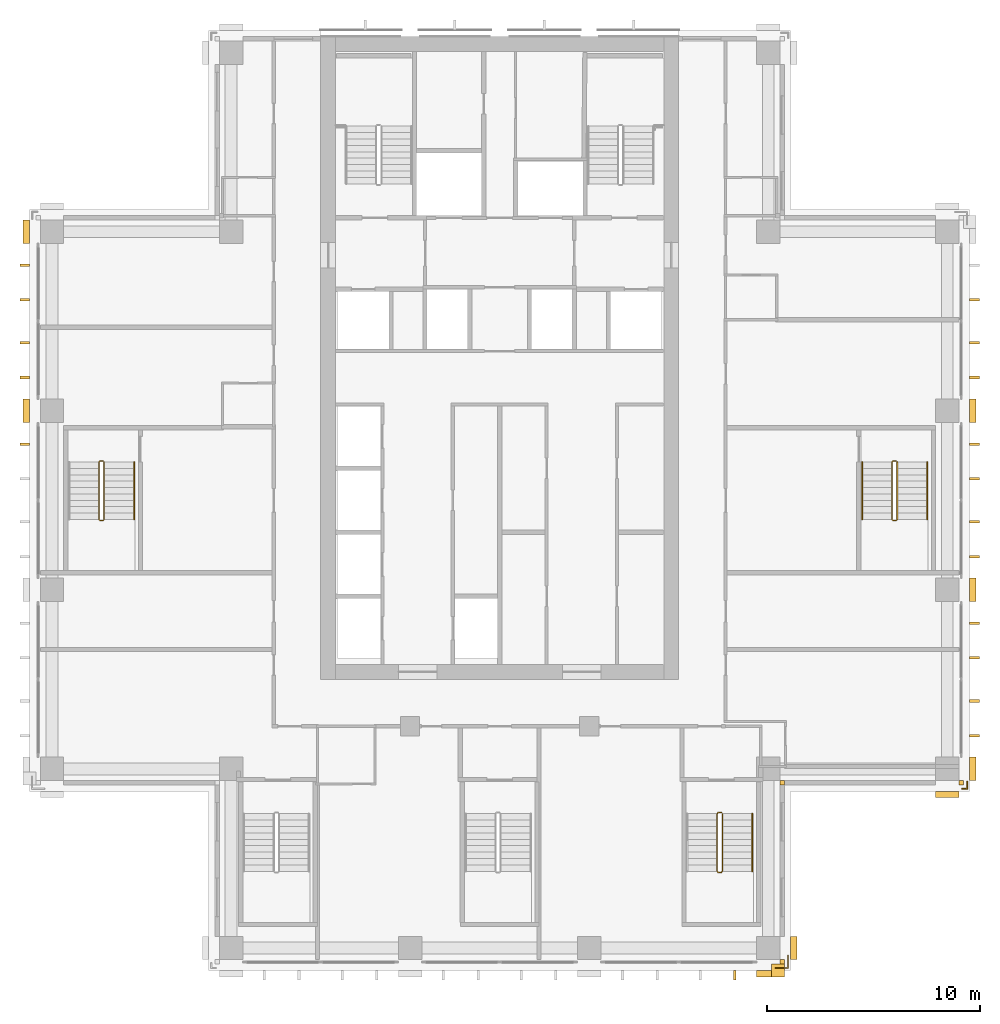
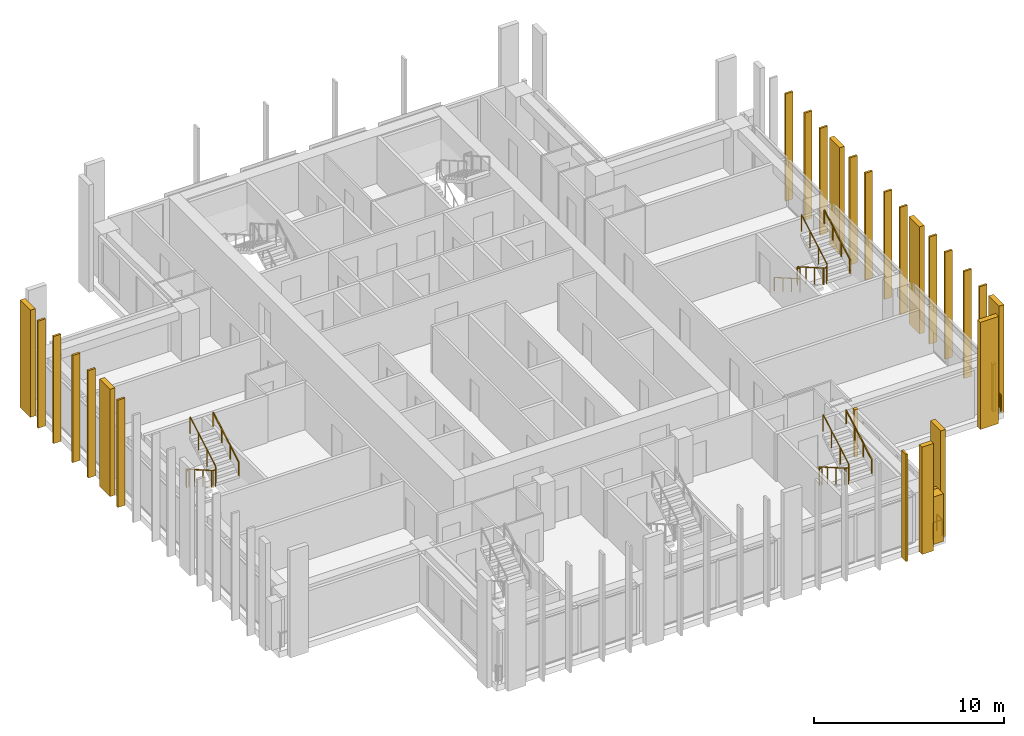
# One storey, part 15 of 16: 29 coverings, 9 railings.
"""IFC4 building model written with IfcOpenShell, lengths in metres."""

from ifc_helpers import new_model, si_unit, direction, frame, origin, origin_2d, place, context, subcontext, project, spatial, polyline, rectangle, outline, extrude, material, layer, layer_set, type_object, element, save


model = new_model("IFC4")

# Units and contexts
model_context = context("Model", 3, precision=1e-05, world=origin(), true_north=direction((0.0, 1.0)))
body_context = subcontext(model_context, "Body", "Model", "MODEL_VIEW")
ifc_project = project(units=[si_unit("LENGTHUNIT", "METRE"), si_unit("AREAUNIT", "SQUARE_METRE"), si_unit("VOLUMEUNIT", "CUBIC_METRE"), si_unit("PLANEANGLEUNIT", "RADIAN"), si_unit("MASSUNIT", "GRAM", prefix="KILO")], contexts=[model_context])

# Site, building, storey
site_placement = place(None, origin())
site = spatial("IfcSite", under=ifc_project, at=site_placement, CompositionType="ELEMENT")
building_placement = place(site_placement, origin())
building = spatial("IfcBuilding", under=site, at=building_placement, Name="Vermilion Ogive Tower", CompositionType="ELEMENT")
storey_placement = place(building_placement, frame((0.0, 0.0, 143.449951171875)))
storey = spatial("IfcBuildingStorey", under=building, at=storey_placement, Name="L36", CompositionType="ELEMENT", Elevation=143.449951171875)

# Coverings
ifc_material_1 = material(Name="Glazed ceramic screen")
ifc_layer = layer(ifc_material_1, 0.14990234375)
ifc_layer_set = layer_set([ifc_layer], Name="Ceramic solar screen fin")
covering_type_1 = type_object("IfcCoveringType", Name="Ceramic solar screen fin", PredefinedType="CLADDING", material=ifc_layer_set)
covering_1_placement = place(storey_placement, frame((0.0, 0.0, -0.39990234375)))
element("IfcCovering", 1, at=covering_1_placement, inside=storey, type_object=covering_type_1, Name="Solar screen blade S022", PredefinedType="CLADDING", context=body_context, shape_type="SweptSolid", body=[
    extrude(outline(polyline([(10.9775390625, -22.5), (11.097412109375, -22.5), (11.097412109375, -22.050048828125), (10.9775390625, -22.050048828125), (10.9775390625, -22.5)])), origin(), (0.0, 0.0, 1.0), 6.89990234375),
])
covering_2_placement = place(storey_placement, frame((0.0, 0.0, -0.39990234375)))
element("IfcCovering", 2, at=covering_2_placement, inside=storey, type_object=covering_type_1, Name="Solar screen blade E971", PredefinedType="CLADDING", context=body_context, shape_type="SweptSolid", body=[
    extrude(outline(polyline([(22.5, -11.097412109375), (22.5, -10.9775390625), (22.050048828125, -10.9775390625), (22.050048828125, -11.097412109375), (22.5, -11.097412109375)])), origin(), (0.0, 0.0, 1.0), 6.89990234375),
])
covering_3_placement = place(storey_placement, frame((0.0, 0.0, -0.39990234375)))
element("IfcCovering", 3, at=covering_3_placement, inside=storey, type_object=covering_type_1, Name="Solar screen blade E972", PredefinedType="CLADDING", context=body_context, shape_type="SweptSolid", body=[
    extrude(outline(polyline([(22.5, -9.472412109375), (22.5, -9.3525390625), (22.050048828125, -9.3525390625), (22.050048828125, -9.472412109375), (22.5, -9.472412109375)])), origin(), (0.0, 0.0, 1.0), 6.89990234375),
])
covering_4_placement = place(storey_placement, frame((0.0, 0.0, -0.39990234375)))
element("IfcCovering", 4, at=covering_4_placement, inside=storey, type_object=covering_type_1, Name="Solar screen blade E981", PredefinedType="CLADDING", context=body_context, shape_type="SweptSolid", body=[
    extrude(outline(polyline([(22.5, -7.447509765625), (22.5, -7.327392578125), (22.050048828125, -7.327392578125), (22.050048828125, -7.447509765625), (22.5, -7.447509765625)])), origin(), (0.0, 0.0, 1.0), 6.89990234375),
])
covering_5_placement = place(storey_placement, frame((0.0, 0.0, -0.39990234375)))
element("IfcCovering", 5, at=covering_5_placement, inside=storey, type_object=covering_type_1, Name="Solar screen blade E982", PredefinedType="CLADDING", context=body_context, shape_type="SweptSolid", body=[
    extrude(outline(polyline([(22.5, -5.822509765625), (22.5, -5.702392578125), (22.050048828125, -5.702392578125), (22.050048828125, -5.822509765625), (22.5, -5.822509765625)])), origin(), (0.0, 0.0, 1.0), 6.89990234375),
])
covering_6_placement = place(storey_placement, frame((0.0, 0.0, -0.39990234375)))
element("IfcCovering", 6, at=covering_6_placement, inside=storey, type_object=covering_type_1, Name="Solar screen blade E991", PredefinedType="CLADDING", context=body_context, shape_type="SweptSolid", body=[
    extrude(outline(polyline([(22.5, -2.697509765625), (22.5, -2.577392578125), (22.050048828125, -2.577392578125), (22.050048828125, -2.697509765625), (22.5, -2.697509765625)])), origin(), (0.0, 0.0, 1.0), 6.89990234375),
])
covering_7_placement = place(storey_placement, frame((0.0, 0.0, -0.39990234375)))
element("IfcCovering", 7, at=covering_7_placement, inside=storey, type_object=covering_type_1, Name="Solar screen blade E992", PredefinedType="CLADDING", context=body_context, shape_type="SweptSolid", body=[
    extrude(outline(polyline([(22.5, -1.072509765625), (22.5, -0.952392578125), (22.050048828125, -0.952392578125), (22.050048828125, -1.072509765625), (22.5, -1.072509765625)])), origin(), (0.0, 0.0, 1.0), 6.89990234375),
])
covering_8_placement = place(storey_placement, frame((0.0, 0.0, -0.39990234375)))
element("IfcCovering", 8, at=covering_8_placement, inside=storey, type_object=covering_type_1, Name="Solar screen blade E001", PredefinedType="CLADDING", context=body_context, shape_type="SweptSolid", body=[
    extrude(outline(polyline([(22.5, 0.952392578125), (22.5, 1.072509765625), (22.050048828125, 1.072509765625), (22.050048828125, 0.952392578125), (22.5, 0.952392578125)])), origin(), (0.0, 0.0, 1.0), 6.89990234375),
])
covering_9_placement = place(storey_placement, frame((0.0, 0.0, -0.39990234375)))
element("IfcCovering", 9, at=covering_9_placement, inside=storey, type_object=covering_type_1, Name="Solar screen blade E002", PredefinedType="CLADDING", context=body_context, shape_type="SweptSolid", body=[
    extrude(outline(polyline([(22.5, 2.577392578125), (22.5, 2.697509765625), (22.050048828125, 2.697509765625), (22.050048828125, 2.577392578125), (22.5, 2.577392578125)])), origin(), (0.0, 0.0, 1.0), 6.89990234375),
])
covering_10_placement = place(storey_placement, frame((0.0, 0.0, -0.39990234375)))
element("IfcCovering", 10, at=covering_10_placement, inside=storey, type_object=covering_type_1, Name="Solar screen blade E011", PredefinedType="CLADDING", context=body_context, shape_type="SweptSolid", body=[
    extrude(outline(polyline([(22.5, 5.702392578125), (22.5, 5.822509765625), (22.050048828125, 5.822509765625), (22.050048828125, 5.702392578125), (22.5, 5.702392578125)])), origin(), (0.0, 0.0, 1.0), 6.89990234375),
])
covering_11_placement = place(storey_placement, frame((0.0, 0.0, -0.39990234375)))
element("IfcCovering", 11, at=covering_11_placement, inside=storey, type_object=covering_type_1, Name="Solar screen blade E012", PredefinedType="CLADDING", context=body_context, shape_type="SweptSolid", body=[
    extrude(outline(polyline([(22.5, 7.327392578125), (22.5, 7.447509765625), (22.050048828125, 7.447509765625), (22.050048828125, 7.327392578125), (22.5, 7.327392578125)])), origin(), (0.0, 0.0, 1.0), 6.89990234375),
])
covering_12_placement = place(storey_placement, frame((0.0, 0.0, -0.39990234375)))
element("IfcCovering", 12, at=covering_12_placement, inside=storey, type_object=covering_type_1, Name="Solar screen blade E021", PredefinedType="CLADDING", context=body_context, shape_type="SweptSolid", body=[
    extrude(outline(polyline([(22.5, 9.3525390625), (22.5, 9.472412109375), (22.050048828125, 9.472412109375), (22.050048828125, 9.3525390625), (22.5, 9.3525390625)])), origin(), (0.0, 0.0, 1.0), 6.89990234375),
])
covering_13_placement = place(storey_placement, frame((0.0, 0.0, -0.39990234375)))
element("IfcCovering", 13, at=covering_13_placement, inside=storey, type_object=covering_type_1, Name="Solar screen blade W011", PredefinedType="CLADDING", context=body_context, shape_type="SweptSolid", body=[
    extrude(outline(polyline([(-22.5, 7.447509765625), (-22.5, 7.327392578125), (-22.050048828125, 7.327392578125), (-22.050048828125, 7.447509765625), (-22.5, 7.447509765625)])), origin(), (0.0, 0.0, 1.0), 6.89990234375),
])
covering_14_placement = place(storey_placement, frame((0.0, 0.0, -0.39990234375)))
element("IfcCovering", 14, at=covering_14_placement, inside=storey, type_object=covering_type_1, Name="Solar screen blade W012", PredefinedType="CLADDING", context=body_context, shape_type="SweptSolid", body=[
    extrude(outline(polyline([(-22.5, 5.822509765625), (-22.5, 5.702392578125), (-22.050048828125, 5.702392578125), (-22.050048828125, 5.822509765625), (-22.5, 5.822509765625)])), origin(), (0.0, 0.0, 1.0), 6.89990234375),
])
covering_15_placement = place(storey_placement, frame((0.0, 0.0, -0.39990234375)))
element("IfcCovering", 15, at=covering_15_placement, inside=storey, type_object=covering_type_1, Name="Solar screen blade W021", PredefinedType="CLADDING", context=body_context, shape_type="SweptSolid", body=[
    extrude(outline(polyline([(-22.5, 11.097412109375), (-22.5, 10.9775390625), (-22.050048828125, 10.9775390625), (-22.050048828125, 11.097412109375), (-22.5, 11.097412109375)])), origin(), (0.0, 0.0, 1.0), 6.89990234375),
])
covering_16_placement = place(storey_placement, frame((0.0, 0.0, -0.39990234375)))
element("IfcCovering", 16, at=covering_16_placement, inside=storey, type_object=covering_type_1, Name="Solar screen blade W022", PredefinedType="CLADDING", context=body_context, shape_type="SweptSolid", body=[
    extrude(outline(polyline([(-22.5, 9.472412109375), (-22.5, 9.3525390625), (-22.050048828125, 9.3525390625), (-22.050048828125, 9.472412109375), (-22.5, 9.472412109375)])), origin(), (0.0, 0.0, 1.0), 6.89990234375),
])
covering_17_placement = place(storey_placement, frame((0.0, 0.0, -0.39990234375)))
element("IfcCovering", 17, at=covering_17_placement, inside=storey, type_object=covering_type_1, Name="Solar screen blade W001", PredefinedType="CLADDING", context=body_context, shape_type="SweptSolid", body=[
    extrude(outline(polyline([(-22.5, 2.697509765625), (-22.5, 2.577392578125), (-22.050048828125, 2.577392578125), (-22.050048828125, 2.697509765625), (-22.5, 2.697509765625)])), origin(), (0.0, 0.0, 1.0), 6.89990234375),
])

# Railings
ifc_material_2 = material(Name="Stainless steel", Category="steel")
railing_type_1 = type_object("IfcRailingType", Name="Slab edge guard SG1", PredefinedType="GUARDRAIL", material=ifc_material_2)
railing_1_placement = place(storey_placement, frame((21.929931640625, -13.199951171875, 0.0)))
element("IfcRailing", 18, at=railing_1_placement, inside=storey, type_object=railing_type_1, Name="L36 slab corner guard", PredefinedType="GUARDRAIL", context=body_context, shape_type="SweptSolid", body=[
    extrude(rectangle(XDim=0.050048828125, YDim=0.050048828125, at=origin_2d()), frame((0.0, 0.0, 1.0751953125), z_axis=(0.0, -1.0, 0.0), x_axis=(1.0, 0.0, 0.0)), (0.0, 0.0, 1.0), 0.330078125),
    extrude(rectangle(XDim=0.050048828125, YDim=0.050048828125, at=origin_2d()), frame((0.0, -0.330078125, 1.0751953125), z_axis=(-1.0, 0.0, 0.0), x_axis=(0.0, -1.0, 0.0)), (0.0, 0.0, 1.0), 0.22998046875),
    extrude(rectangle(XDim=0.050048828125, YDim=0.050048828125, at=origin_2d()), origin(), (0.0, 0.0, 1.0), 1.050048828125),
    extrude(rectangle(XDim=0.050048828125, YDim=0.050048828125, at=origin_2d()), frame((0.0, -0.330078125, 0.0)), (0.0, 0.0, 1.0), 1.050048828125),
    extrude(rectangle(XDim=0.050048828125, YDim=0.050048828125, at=origin_2d()), frame((-0.22998046875, -0.330078125, 0.0)), (0.0, 0.0, 1.0), 1.050048828125),
])
railing_2_placement = place(storey_placement, frame((12.949951171875, -21.929931640625, 0.0)))
element("IfcRailing", 19, at=railing_2_placement, inside=storey, type_object=railing_type_1, Name="L36 slab corner guard", PredefinedType="GUARDRAIL", context=body_context, shape_type="SweptSolid", body=[
    extrude(rectangle(XDim=0.050048828125, YDim=0.050048828125, at=origin_2d()), frame((0.0, 0.0, 1.0751953125), z_axis=(1.0, 0.0, 0.0), x_axis=(0.0, 1.0, 0.0)), (0.0, 0.0, 1.0), 0.580078125),
    extrude(rectangle(XDim=0.050048828125, YDim=0.050048828125, at=origin_2d()), frame((0.580078125, 0.0, 1.0751953125), z_axis=(0.0, 1.0, 0.0), x_axis=(-1.0, 0.0, 0.0)), (0.0, 0.0, 1.0), 0.579833984375),
    extrude(rectangle(XDim=0.050048828125, YDim=0.050048828125, at=origin_2d()), origin(), (0.0, 0.0, 1.0), 1.050048828125),
    extrude(rectangle(XDim=0.050048828125, YDim=0.050048828125, at=origin_2d()), frame((0.580078125, 0.0, 0.0)), (0.0, 0.0, 1.0), 1.050048828125),
    extrude(rectangle(XDim=0.050048828125, YDim=0.050048828125, at=origin_2d()), frame((0.580078125, 0.579833984375, 0.0)), (0.0, 0.0, 1.0), 1.050048828125),
])
ifc_material_3 = material(Name="Steel S355 painted", Category="steel")
railing_type_2 = type_object("IfcRailingType", Name="Stair guard 1100", PredefinedType="GUARDRAIL", material=ifc_material_3)
railing_3_placement = place(storey_placement, frame((10.39990234375, -14.64990234375, 0.0)))
element("IfcRailing", 20, at=railing_3_placement, inside=storey, type_object=railing_type_2, Name="L36 ST5 stair guard 4", PredefinedType="GUARDRAIL", context=body_context, shape_type="SweptSolid", body=[
    extrude(rectangle(XDim=0.048095703125, YDim=0.048095703125, at=origin_2d()), frame((0.0, 0.0, 1.076171875), z_axis=(-1.0, 0.0, 0.0), x_axis=(0.0, -1.0, 0.0)), (0.0, 0.0, 1.0), 0.14990234375),
    extrude(rectangle(XDim=0.048095703125, YDim=0.048095703125, at=origin_2d()), frame((-0.14990234375, 0.0, 1.076171875), z_axis=(-0.268277960024, -0.268277960024, 0.925231793839), x_axis=(0.707106781187, -0.707106781187, 0.0)), (0.0, 0.0, 1.0), 0.1865234375),
    extrude(rectangle(XDim=0.048095703125, YDim=0.048095703125, at=origin_2d()), frame((-0.199951171875, -0.050048828125, 1.24853515625), z_axis=(0.0, -0.866903762492, 0.498475542607), x_axis=(1.0, 0.0, 0.0)), (0.0, 0.0, 1.0), 3.114501953125),
    extrude(rectangle(XDim=0.048095703125, YDim=0.048095703125, at=origin_2d()), frame((-0.199951171875, -2.75, 2.80126953125), z_axis=(0.707106781187, -0.707106781187, 0.0), x_axis=(0.707106781187, 0.707106781187, 0.0)), (0.0, 0.0, 1.0), 0.07080078125),
    extrude(rectangle(XDim=0.048095703125, YDim=0.048095703125, at=origin_2d()), frame((-0.14990234375, -2.800048828125, 2.80126953125), z_axis=(1.0, 0.0, 0.0), x_axis=(0.0, 1.0, 0.0)), (0.0, 0.0, 1.0), 0.14990234375),
    extrude(rectangle(XDim=0.048095703125, YDim=0.048095703125, at=origin_2d()), frame((0.0, -2.800048828125, 2.80126953125), z_axis=(0.268603158521, 0.268603158521, 0.925043072762), x_axis=(-0.707106781187, 0.707106781187, 0.0)), (0.0, 0.0, 1.0), 0.186279296875),
    extrude(rectangle(XDim=0.048095703125, YDim=0.048095703125, at=origin_2d()), frame((0.050048828125, -2.75, 2.9736328125), z_axis=(0.0, 0.866903762492, 0.498475542607), x_axis=(-1.0, 0.0, 0.0)), (0.0, 0.0, 1.0), 3.114501953125),
    extrude(rectangle(XDim=0.0419921875, YDim=0.0419921875, at=origin_2d()), origin(), (0.0, 0.0, 1.0), 1.052001953125),
    extrude(rectangle(XDim=0.0419921875, YDim=0.0419921875, at=origin_2d()), frame((-0.14990234375, 0.0, 0.0)), (0.0, 0.0, 1.0), 1.052001953125),
    extrude(rectangle(XDim=0.0419921875, YDim=0.0419921875, at=origin_2d()), frame((-0.199951171875, -0.050048828125, 0.172607421875)), (0.0, 0.0, 1.0), 1.052001953125),
    extrude(rectangle(XDim=0.0419921875, YDim=0.0419921875, at=origin_2d()), frame((-0.199951171875, -0.949951171875, 0.690185546875)), (0.0, 0.0, 1.0), 1.052001953125),
    extrude(rectangle(XDim=0.0419921875, YDim=0.0419921875, at=origin_2d()), frame((-0.199951171875, -1.85009765625, 1.20751953125)), (0.0, 0.0, 1.0), 1.052001953125),
    extrude(rectangle(XDim=0.0419921875, YDim=0.0419921875, at=origin_2d()), frame((-0.199951171875, -2.75, 1.72509765625)), (0.0, 0.0, 1.0), 1.052001953125),
    extrude(rectangle(XDim=0.0419921875, YDim=0.0419921875, at=origin_2d()), frame((-0.14990234375, -2.800048828125, 1.72509765625)), (0.0, 0.0, 1.0), 1.052001953125),
    extrude(rectangle(XDim=0.0419921875, YDim=0.0419921875, at=origin_2d()), frame((0.0, -2.800048828125, 1.72509765625)), (0.0, 0.0, 1.0), 1.052001953125),
    extrude(rectangle(XDim=0.0419921875, YDim=0.0419921875, at=origin_2d()), frame((0.050048828125, -2.75, 1.8974609375)), (0.0, 0.0, 1.0), 1.052001953125),
    extrude(rectangle(XDim=0.0419921875, YDim=0.0419921875, at=origin_2d()), frame((0.050048828125, -1.85009765625, 2.4150390625)), (0.0, 0.0, 1.0), 1.052001953125),
    extrude(rectangle(XDim=0.0419921875, YDim=0.0419921875, at=origin_2d()), frame((0.050048828125, -0.949951171875, 2.932373046875)), (0.0, 0.0, 1.0), 1.052001953125),
    extrude(rectangle(XDim=0.0419921875, YDim=0.0419921875, at=origin_2d()), frame((0.050048828125, -0.050048828125, 3.449951171875)), (0.0, 0.0, 1.0), 1.052001953125),
])
railing_4_placement = place(storey_placement, frame((18.60009765625, 1.85009765625, 0.0)))
element("IfcRailing", 21, at=railing_4_placement, inside=storey, type_object=railing_type_2, Name="L36 ST8 stair guard 4", PredefinedType="GUARDRAIL", context=body_context, shape_type="SweptSolid", body=[
    extrude(rectangle(XDim=0.048095703125, YDim=0.048095703125, at=origin_2d()), frame((0.0, 0.0, 1.076171875), z_axis=(-1.0, 0.0, 0.0), x_axis=(0.0, -1.0, 0.0)), (0.0, 0.0, 1.0), 0.150146484375),
    extrude(rectangle(XDim=0.048095703125, YDim=0.048095703125, at=origin_2d()), frame((-0.150146484375, 0.0, 1.076171875), z_axis=(-0.268277960024, -0.268277960024, 0.925231793839), x_axis=(0.707106781187, -0.707106781187, 0.0)), (0.0, 0.0, 1.0), 0.1865234375),
    extrude(rectangle(XDim=0.048095703125, YDim=0.048095703125, at=origin_2d()), frame((-0.2001953125, -0.050048828125, 1.24853515625), z_axis=(0.0, -0.866903762492, 0.498475542607), x_axis=(1.0, 0.0, 0.0)), (0.0, 0.0, 1.0), 3.114501953125),
    extrude(rectangle(XDim=0.048095703125, YDim=0.048095703125, at=origin_2d()), frame((-0.2001953125, -2.75, 2.80126953125), z_axis=(0.707106781187, -0.707106781187, 0.0), x_axis=(0.707106781187, 0.707106781187, 0.0)), (0.0, 0.0, 1.0), 0.07080078125),
    extrude(rectangle(XDim=0.048095703125, YDim=0.048095703125, at=origin_2d()), frame((-0.150146484375, -2.800048828125, 2.80126953125), z_axis=(1.0, 0.0, 0.0), x_axis=(0.0, 1.0, 0.0)), (0.0, 0.0, 1.0), 0.150146484375),
    extrude(rectangle(XDim=0.048095703125, YDim=0.048095703125, at=origin_2d()), frame((0.0, -2.800048828125, 2.80126953125), z_axis=(0.267386790225, 0.268697509785, 0.925368009307), x_axis=(-0.708833529934, 0.705375805398, 0.0)), (0.0, 0.0, 1.0), 0.186279296875),
    extrude(rectangle(XDim=0.048095703125, YDim=0.048095703125, at=origin_2d()), frame((0.0498046875, -2.75, 2.9736328125), z_axis=(0.0, 0.866903762492, 0.498475542607), x_axis=(-1.0, 0.0, 0.0)), (0.0, 0.0, 1.0), 3.114501953125),
    extrude(rectangle(XDim=0.0419921875, YDim=0.0419921875, at=origin_2d()), origin(), (0.0, 0.0, 1.0), 1.052001953125),
    extrude(rectangle(XDim=0.0419921875, YDim=0.0419921875, at=origin_2d()), frame((-0.150146484375, 0.0, 0.0)), (0.0, 0.0, 1.0), 1.052001953125),
    extrude(rectangle(XDim=0.0419921875, YDim=0.0419921875, at=origin_2d()), frame((-0.2001953125, -0.050048828125, 0.172607421875)), (0.0, 0.0, 1.0), 1.052001953125),
    extrude(rectangle(XDim=0.0419921875, YDim=0.0419921875, at=origin_2d()), frame((-0.2001953125, -0.949951171875, 0.690185546875)), (0.0, 0.0, 1.0), 1.052001953125),
    extrude(rectangle(XDim=0.0419921875, YDim=0.0419921875, at=origin_2d()), frame((-0.2001953125, -1.85009765625, 1.20751953125)), (0.0, 0.0, 1.0), 1.052001953125),
    extrude(rectangle(XDim=0.0419921875, YDim=0.0419921875, at=origin_2d()), frame((-0.2001953125, -2.75, 1.72509765625)), (0.0, 0.0, 1.0), 1.052001953125),
    extrude(rectangle(XDim=0.0419921875, YDim=0.0419921875, at=origin_2d()), frame((-0.150146484375, -2.800048828125, 1.72509765625)), (0.0, 0.0, 1.0), 1.052001953125),
    extrude(rectangle(XDim=0.0419921875, YDim=0.0419921875, at=origin_2d()), frame((0.0, -2.800048828125, 1.72509765625)), (0.0, 0.0, 1.0), 1.052001953125),
    extrude(rectangle(XDim=0.0419921875, YDim=0.0419921875, at=origin_2d()), frame((0.0498046875, -2.75, 1.8974609375)), (0.0, 0.0, 1.0), 1.052001953125),
    extrude(rectangle(XDim=0.0419921875, YDim=0.0419921875, at=origin_2d()), frame((0.0498046875, -1.85009765625, 2.4150390625)), (0.0, 0.0, 1.0), 1.052001953125),
    extrude(rectangle(XDim=0.0419921875, YDim=0.0419921875, at=origin_2d()), frame((0.0498046875, -0.949951171875, 2.932373046875)), (0.0, 0.0, 1.0), 1.052001953125),
    extrude(rectangle(XDim=0.0419921875, YDim=0.0419921875, at=origin_2d()), frame((0.0498046875, -0.050048828125, 3.449951171875)), (0.0, 0.0, 1.0), 1.052001953125),
])
railing_5_placement = place(storey_placement, frame((-18.60009765625, 1.85009765625, 0.0)))
element("IfcRailing", 22, at=railing_5_placement, inside=storey, type_object=railing_type_2, Name="L36 ST9 stair guard 4", PredefinedType="GUARDRAIL", context=body_context, shape_type="SweptSolid", body=[
    extrude(rectangle(XDim=0.048095703125, YDim=0.048095703125, at=origin_2d()), frame((0.0, 0.0, 1.076171875), z_axis=(-1.0, 0.0, 0.0), x_axis=(0.0, -1.0, 0.0)), (0.0, 0.0, 1.0), 0.14990234375),
    extrude(rectangle(XDim=0.048095703125, YDim=0.048095703125, at=origin_2d()), frame((-0.14990234375, 0.0, 1.076171875), z_axis=(-0.268277960024, -0.268277960024, 0.925231793839), x_axis=(0.707106781187, -0.707106781187, 0.0)), (0.0, 0.0, 1.0), 0.1865234375),
    extrude(rectangle(XDim=0.048095703125, YDim=0.048095703125, at=origin_2d()), frame((-0.199951171875, -0.050048828125, 1.24853515625), z_axis=(0.0, -0.866903762492, 0.498475542607), x_axis=(1.0, 0.0, 0.0)), (0.0, 0.0, 1.0), 3.114501953125),
    extrude(rectangle(XDim=0.048095703125, YDim=0.048095703125, at=origin_2d()), frame((-0.199951171875, -2.75, 2.80126953125), z_axis=(0.707106781187, -0.707106781187, 0.0), x_axis=(0.707106781187, 0.707106781187, 0.0)), (0.0, 0.0, 1.0), 0.07080078125),
    extrude(rectangle(XDim=0.048095703125, YDim=0.048095703125, at=origin_2d()), frame((-0.14990234375, -2.800048828125, 2.80126953125), z_axis=(1.0, 0.0, 0.0), x_axis=(0.0, 1.0, 0.0)), (0.0, 0.0, 1.0), 0.14990234375),
    extrude(rectangle(XDim=0.048095703125, YDim=0.048095703125, at=origin_2d()), frame((0.0, -2.800048828125, 2.80126953125), z_axis=(0.268603158521, 0.268603158521, 0.925043072762), x_axis=(-0.707106781187, 0.707106781187, 0.0)), (0.0, 0.0, 1.0), 0.186279296875),
    extrude(rectangle(XDim=0.048095703125, YDim=0.048095703125, at=origin_2d()), frame((0.050048828125, -2.75, 2.9736328125), z_axis=(0.0, 0.866903762492, 0.498475542607), x_axis=(-1.0, 0.0, 0.0)), (0.0, 0.0, 1.0), 3.114501953125),
    extrude(rectangle(XDim=0.0419921875, YDim=0.0419921875, at=origin_2d()), origin(), (0.0, 0.0, 1.0), 1.052001953125),
    extrude(rectangle(XDim=0.0419921875, YDim=0.0419921875, at=origin_2d()), frame((-0.14990234375, 0.0, 0.0)), (0.0, 0.0, 1.0), 1.052001953125),
    extrude(rectangle(XDim=0.0419921875, YDim=0.0419921875, at=origin_2d()), frame((-0.199951171875, -0.050048828125, 0.172607421875)), (0.0, 0.0, 1.0), 1.052001953125),
    extrude(rectangle(XDim=0.0419921875, YDim=0.0419921875, at=origin_2d()), frame((-0.199951171875, -0.949951171875, 0.690185546875)), (0.0, 0.0, 1.0), 1.052001953125),
    extrude(rectangle(XDim=0.0419921875, YDim=0.0419921875, at=origin_2d()), frame((-0.199951171875, -1.85009765625, 1.20751953125)), (0.0, 0.0, 1.0), 1.052001953125),
    extrude(rectangle(XDim=0.0419921875, YDim=0.0419921875, at=origin_2d()), frame((-0.199951171875, -2.75, 1.72509765625)), (0.0, 0.0, 1.0), 1.052001953125),
    extrude(rectangle(XDim=0.0419921875, YDim=0.0419921875, at=origin_2d()), frame((-0.14990234375, -2.800048828125, 1.72509765625)), (0.0, 0.0, 1.0), 1.052001953125),
    extrude(rectangle(XDim=0.0419921875, YDim=0.0419921875, at=origin_2d()), frame((0.0, -2.800048828125, 1.72509765625)), (0.0, 0.0, 1.0), 1.052001953125),
    extrude(rectangle(XDim=0.0419921875, YDim=0.0419921875, at=origin_2d()), frame((0.050048828125, -2.75, 1.8974609375)), (0.0, 0.0, 1.0), 1.052001953125),
    extrude(rectangle(XDim=0.0419921875, YDim=0.0419921875, at=origin_2d()), frame((0.050048828125, -1.85009765625, 2.4150390625)), (0.0, 0.0, 1.0), 1.052001953125),
    extrude(rectangle(XDim=0.0419921875, YDim=0.0419921875, at=origin_2d()), frame((0.050048828125, -0.949951171875, 2.932373046875)), (0.0, 0.0, 1.0), 1.052001953125),
    extrude(rectangle(XDim=0.0419921875, YDim=0.0419921875, at=origin_2d()), frame((0.050048828125, -0.050048828125, 3.449951171875)), (0.0, 0.0, 1.0), 1.052001953125),
])
ifc_material_4 = material(Name="Stainless steel", Category="steel")
railing_type_3 = type_object("IfcRailingType", Name="Stair handrail 900", PredefinedType="HANDRAIL", material=ifc_material_4)
railing_6_placement = place(storey_placement, frame((11.85009765625, -17.39990234375, 1.8974609375)))
element("IfcRailing", 23, at=railing_6_placement, inside=storey, type_object=railing_type_3, Name="L36 ST5 stair handrail 2", PredefinedType="HANDRAIL", context=body_context, shape_type="SweptSolid", body=[
    extrude(rectangle(XDim=0.048095703125, YDim=0.048095703125, at=origin_2d()), frame((0.0, 0.0, 0.8759765625), z_axis=(0.0, 0.866903762492, 0.498475542607), x_axis=(-1.0, 0.0, 0.0)), (0.0, 0.0, 1.0), 3.114501953125),
    extrude(rectangle(XDim=0.0419921875, YDim=0.0419921875, at=origin_2d()), origin(), (0.0, 0.0, 1.0), 0.851806640625),
    extrude(rectangle(XDim=0.0419921875, YDim=0.0419921875, at=origin_2d()), frame((0.0, 0.89990234375, 0.517578125)), (0.0, 0.0, 1.0), 0.851806640625),
    extrude(rectangle(XDim=0.0419921875, YDim=0.0419921875, at=origin_2d()), frame((0.0, 1.800048828125, 1.034912109375)), (0.0, 0.0, 1.0), 0.851806640625),
    extrude(rectangle(XDim=0.0419921875, YDim=0.0419921875, at=origin_2d()), frame((0.0, 2.699951171875, 1.552490234375)), (0.0, 0.0, 1.0), 0.851806640625),
])
railing_7_placement = place(storey_placement, frame((17.0, 1.800048828125, 0.172607421875)))
element("IfcRailing", 24, at=railing_7_placement, inside=storey, type_object=railing_type_3, Name="L36 ST8 stair handrail 1", PredefinedType="HANDRAIL", context=body_context, shape_type="SweptSolid", body=[
    extrude(rectangle(XDim=0.048095703125, YDim=0.048095703125, at=origin_2d()), frame((0.0, 0.0, 0.8759765625), z_axis=(0.0, -0.866903762492, 0.498475542607), x_axis=(1.0, 0.0, 0.0)), (0.0, 0.0, 1.0), 3.114501953125),
    extrude(rectangle(XDim=0.0419921875, YDim=0.0419921875, at=origin_2d()), origin(), (0.0, 0.0, 1.0), 0.851806640625),
    extrude(rectangle(XDim=0.0419921875, YDim=0.0419921875, at=origin_2d()), frame((0.0, -0.89990234375, 0.517578125)), (0.0, 0.0, 1.0), 0.851806640625),
    extrude(rectangle(XDim=0.0419921875, YDim=0.0419921875, at=origin_2d()), frame((0.0, -1.800048828125, 1.034912109375)), (0.0, 0.0, 1.0), 0.851806640625),
    extrude(rectangle(XDim=0.0419921875, YDim=0.0419921875, at=origin_2d()), frame((0.0, -2.699951171875, 1.552490234375)), (0.0, 0.0, 1.0), 0.851806640625),
])
for number, where, name in (
    (25, (20.050048828125, -0.89990234375, 1.8974609375), "L36 ST8 stair handrail 2"),
    (26, (-17.14990234375, -0.89990234375, 1.8974609375), "L36 ST9 stair handrail 2"),
):
    element("IfcRailing", number, at=place(storey_placement, frame(where)), inside=storey, type_object=railing_type_3, Name=name, PredefinedType="HANDRAIL", context=body_context, shape_type="SweptSolid", body=[
        extrude(rectangle(XDim=0.048095703125, YDim=0.048095703125, at=origin_2d()), frame((0.0, 0.0, 0.8759765625), z_axis=(0.0, 0.866903762492, 0.498475542607), x_axis=(-1.0, 0.0, 0.0)), (0.0, 0.0, 1.0), 3.114501953125),
        extrude(rectangle(XDim=0.0419921875, YDim=0.0419921875, at=origin_2d()), origin(), (0.0, 0.0, 1.0), 0.851806640625),
        extrude(rectangle(XDim=0.0419921875, YDim=0.0419921875, at=origin_2d()), frame((0.0, 0.89990234375, 0.517578125)), (0.0, 0.0, 1.0), 0.851806640625),
        extrude(rectangle(XDim=0.0419921875, YDim=0.0419921875, at=origin_2d()), frame((0.0, 1.800048828125, 1.034912109375)), (0.0, 0.0, 1.0), 0.851806640625),
        extrude(rectangle(XDim=0.0419921875, YDim=0.0419921875, at=origin_2d()), frame((0.0, 2.699951171875, 1.552490234375)), (0.0, 0.0, 1.0), 0.851806640625),
    ])

# Coverings
ifc_material_5 = material(Name="Stone cladding", Category="masonry")
covering_type_2 = type_object("IfcCoveringType", Name="Stone corner buttress", PredefinedType="CLADDING", material=ifc_material_5)
covering_18_placement = place(storey_placement, origin())
element("IfcCovering", 27, at=covering_18_placement, inside=storey, type_object=covering_type_2, Name="Stone crease pier SK", PredefinedType="CLADDING", context=body_context, shape_type="SweptSolid", body=[
    extrude(outline(polyline([(12.75, -22.35009765625), (13.35009765625, -22.35009765625), (13.35009765625, -21.75), (12.75, -21.75), (12.75, -22.35009765625)])), origin(), (0.0, 0.0, 1.0), 3.050048828125),
])
ifc_material_6 = material(Name="Stone cladding", Category="masonry")
covering_type_3 = type_object("IfcCoveringType", Name="Stone pier", PredefinedType="CLADDING", material=ifc_material_6)
covering_19_placement = place(storey_placement, origin())
element("IfcCovering", 28, at=covering_19_placement, inside=storey, type_object=covering_type_3, Name="Stone corner pier SE1", PredefinedType="CLADDING", context=body_context, shape_type="SweptSolid", body=[
    extrude(outline(polyline([(13.14990234375, -21.75), (13.14990234375, -21.550048828125), (13.35009765625, -21.550048828125), (13.35009765625, -21.75), (13.14990234375, -21.75)])), origin(), (0.0, 0.0, 1.0), 3.050048828125),
])
covering_20_placement = place(storey_placement, origin())
element("IfcCovering", 29, at=covering_20_placement, inside=storey, type_object=covering_type_3, Name="Stone corner pier X1E1", PredefinedType="CLADDING", context=body_context, shape_type="SweptSolid", body=[
    extrude(outline(polyline([(13.14990234375, -13.14990234375), (13.35009765625, -13.14990234375), (13.35009765625, -13.35009765625), (13.14990234375, -13.35009765625), (13.14990234375, -13.14990234375)])), origin(), (0.0, 0.0, 1.0), 3.050048828125),
])
covering_21_placement = place(storey_placement, origin())
element("IfcCovering", 30, at=covering_21_placement, inside=storey, type_object=covering_type_3, Name="Stone corner pier X2E1", PredefinedType="CLADDING", context=body_context, shape_type="SweptSolid", body=[
    extrude(outline(polyline([(21.550048828125, -13.35009765625), (21.550048828125, -13.14990234375), (21.75, -13.14990234375), (21.75, -13.35009765625), (21.550048828125, -13.35009765625)])), origin(), (0.0, 0.0, 1.0), 3.050048828125),
])
covering_22_placement = place(storey_placement, frame((0.0, 0.0, -0.39990234375)))
element("IfcCovering", 31, at=covering_22_placement, inside=storey, type_object=covering_type_3, Name="Stone pier P+0126-210S", PredefinedType="CLADDING", context=body_context, shape_type="SweptSolid", body=[
    extrude(outline(polyline([(12.050048828125, -22.35009765625), (12.050048828125, -22.050048828125), (12.75, -22.050048828125), (12.75, -22.35009765625), (12.050048828125, -22.35009765625)])), origin(), (0.0, 0.0, 1.0), 6.89990234375),
])
covering_23_placement = place(storey_placement, frame((0.0, 0.0, -0.39990234375)))
element("IfcCovering", 32, at=covering_23_placement, inside=storey, type_object=covering_type_3, Name="Stone pier P+0126-210X1", PredefinedType="CLADDING", context=body_context, shape_type="SweptSolid", body=[
    extrude(outline(polyline([(13.949951171875, -21.550048828125), (13.64990234375, -21.550048828125), (13.64990234375, -20.449951171875), (13.949951171875, -20.449951171875), (13.949951171875, -21.550048828125)])), origin(), (0.0, 0.0, 1.0), 6.89990234375),
])
covering_24_placement = place(storey_placement, frame((0.0, 0.0, -0.39990234375)))
element("IfcCovering", 33, at=covering_24_placement, inside=storey, type_object=covering_type_3, Name="Stone pier P+0210+042", PredefinedType="CLADDING", context=body_context, shape_type="SweptSolid", body=[
    extrude(outline(polyline([(22.35009765625, 4.75), (22.35009765625, 3.64990234375), (22.050048828125, 3.64990234375), (22.050048828125, 4.75), (22.35009765625, 4.75)])), origin(), (0.0, 0.0, 1.0), 6.89990234375),
])
covering_25_placement = place(storey_placement, frame((0.0, 0.0, -0.39990234375)))
element("IfcCovering", 34, at=covering_25_placement, inside=storey, type_object=covering_type_3, Name="Stone pier P+0210-042", PredefinedType="CLADDING", context=body_context, shape_type="SweptSolid", body=[
    extrude(outline(polyline([(22.35009765625, -3.64990234375), (22.35009765625, -4.75), (22.050048828125, -4.75), (22.050048828125, -3.64990234375), (22.35009765625, -3.64990234375)])), origin(), (0.0, 0.0, 1.0), 6.89990234375),
])
covering_26_placement = place(storey_placement, frame((0.0, 0.0, -0.39990234375)))
element("IfcCovering", 35, at=covering_26_placement, inside=storey, type_object=covering_type_3, Name="Stone pier P+0210-126X2", PredefinedType="CLADDING", context=body_context, shape_type="SweptSolid", body=[
    extrude(outline(polyline([(21.550048828125, -13.949951171875), (20.449951171875, -13.949951171875), (20.449951171875, -13.64990234375), (21.550048828125, -13.64990234375), (21.550048828125, -13.949951171875)])), origin(), (0.0, 0.0, 1.0), 6.89990234375),
])
covering_27_placement = place(storey_placement, frame((0.0, 0.0, -0.39990234375)))
element("IfcCovering", 36, at=covering_27_placement, inside=storey, type_object=covering_type_3, Name="Stone pier P+0210-126E", PredefinedType="CLADDING", context=body_context, shape_type="SweptSolid", body=[
    extrude(outline(polyline([(22.35009765625, -13.14990234375), (22.050048828125, -13.14990234375), (22.050048828125, -12.050048828125), (22.35009765625, -12.050048828125), (22.35009765625, -13.14990234375)])), origin(), (0.0, 0.0, 1.0), 6.89990234375),
])
covering_28_placement = place(storey_placement, frame((0.0, 0.0, -0.39990234375)))
element("IfcCovering", 37, at=covering_28_placement, inside=storey, type_object=covering_type_3, Name="Stone pier P-0210+042", PredefinedType="CLADDING", context=body_context, shape_type="SweptSolid", body=[
    extrude(outline(polyline([(-22.35009765625, 3.64990234375), (-22.35009765625, 4.75), (-22.050048828125, 4.75), (-22.050048828125, 3.64990234375), (-22.35009765625, 3.64990234375)])), origin(), (0.0, 0.0, 1.0), 6.89990234375),
])
covering_29_placement = place(storey_placement, frame((0.0, 0.0, -0.39990234375)))
element("IfcCovering", 38, at=covering_29_placement, inside=storey, type_object=covering_type_3, Name="Stone pier P-0210+126W", PredefinedType="CLADDING", context=body_context, shape_type="SweptSolid", body=[
    extrude(outline(polyline([(-22.35009765625, 13.14990234375), (-22.050048828125, 13.14990234375), (-22.050048828125, 12.050048828125), (-22.35009765625, 12.050048828125), (-22.35009765625, 13.14990234375)])), origin(), (0.0, 0.0, 1.0), 6.89990234375),
])

save(model, "model.ifc")
